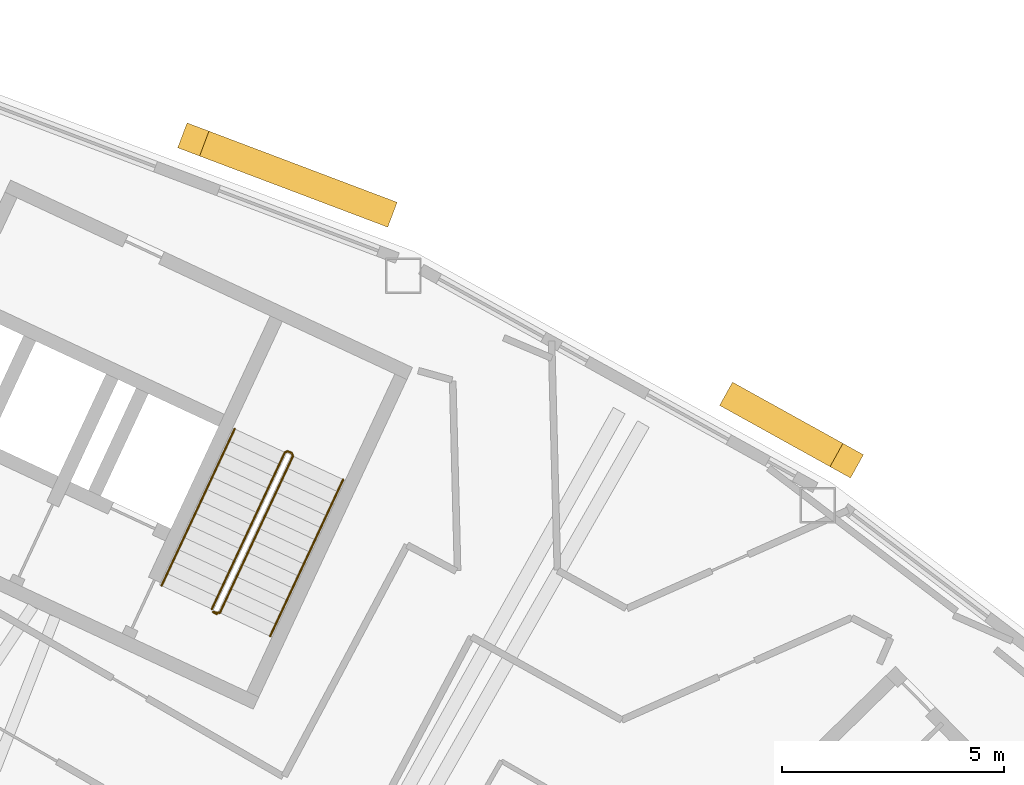
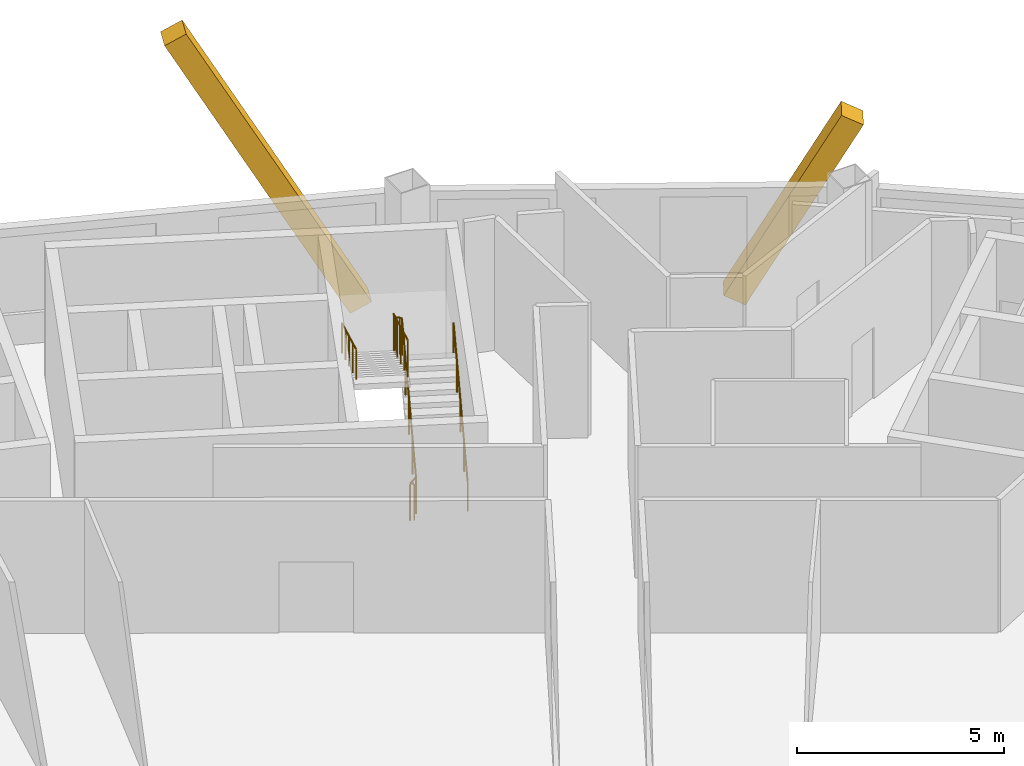
# One storey, part 13 of 13: 3 railings, 2 coverings.
"""IFC4 building model written with IfcOpenShell, lengths in metres."""

from ifc_helpers import new_model, si_unit, direction, frame, origin, origin_2d, place, context, subcontext, project, spatial, rectangle, circle, extrude, material, material_profile, profile_set, type_object, element, save


model = new_model("IFC4")

# Units and contexts
model_context = context("Model", 3, precision=1e-05, world=origin(), true_north=direction((0.0, 1.0)))
body_context = subcontext(model_context, "Body", "Model", "MODEL_VIEW")
ifc_project = project(units=[si_unit("LENGTHUNIT", "METRE"), si_unit("AREAUNIT", "SQUARE_METRE"), si_unit("VOLUMEUNIT", "CUBIC_METRE"), si_unit("PLANEANGLEUNIT", "RADIAN"), si_unit("MASSUNIT", "GRAM", prefix="KILO")], contexts=[model_context])

# Site, building, storey
site_placement = place(None, origin())
site = spatial("IfcSite", under=ifc_project, at=site_placement, CompositionType="ELEMENT")
building_placement = place(site_placement, origin())
building = spatial("IfcBuilding", under=site, at=building_placement, Name="Tuul Gate Civic Tower", CompositionType="ELEMENT")
storey_placement = place(building_placement, frame((0.0, 0.0, 285.800048828125)))
storey = spatial("IfcBuildingStorey", under=building, at=storey_placement, Name="Level 64", CompositionType="ELEMENT", Elevation=285.800048828125)

# Railings
ifc_material_1 = material(Name="Painted steel", Category="steel")
railing_type_1 = type_object("IfcRailingType", Name="Stair guard", PredefinedType="GUARDRAIL", material=ifc_material_1)
railing_1_placement = place(storey_placement, frame((33.645751953125, -5.238525390625, 0.0)))
element("IfcRailing", 1, at=railing_1_placement, inside=storey, type_object=railing_type_1, Name="Level 64 ST-4 stair guard 1", PredefinedType="GUARDRAIL", context=body_context, shape_type="SweptSolid", body=[
    extrude(circle(Radius=0.02392578125, at=origin_2d()), frame((0.0, 0.0, 1.076171875), z_axis=(-0.906307919131, 0.422617978463, 0.0), x_axis=(-0.422617978463, -0.906307919131, 0.0)), (0.0, 0.0, 1.0), 0.099853515625),
    extrude(circle(Radius=0.02392578125, at=origin_2d()), frame((-0.090576171875, 0.042236328125, 1.076171875), z_axis=(0.720735628292, -0.082946246491, 0.688229666829), x_axis=(0.114330889033, 0.993442724979, 0.0)), (0.0, 0.0, 1.0), 0.2177734375),
    extrude(circle(Radius=0.02392578125, at=origin_2d()), frame((0.06640625, 0.024169921875, 1.22607421875), z_axis=(0.377946903738, 0.810654114417, 0.447209173356), x_axis=(-0.906336612539, 0.422556439746, 0.0)), (0.0, 0.0, 1.0), 4.3603515625),
    extrude(circle(Radius=0.02392578125, at=origin_2d()), frame((1.71435546875, 3.558837890625, 3.17578125), z_axis=(-0.342020437038, 0.939692513883, 0.0), x_axis=(-0.939692513883, -0.342020437038, 0.0)), (0.0, 0.0, 1.0), 0.070556640625),
    extrude(circle(Radius=0.02392578125, at=origin_2d()), frame((1.690185546875, 3.625244140625, 3.17578125), z_axis=(-0.906307919131, 0.422617978463, 0.0), x_axis=(-0.422617978463, -0.906307919131, 0.0)), (0.0, 0.0, 1.0), 0.099853515625),
    extrude(circle(Radius=0.02392578125, at=origin_2d()), frame((1.599609375, 3.66748046875, 3.17578125), z_axis=(-0.400168791901, -0.145649670582, 0.904793408159), x_axis=(0.342020437038, -0.939692513883, 0.0)), (0.0, 0.0, 1.0), 0.166015625),
    extrude(circle(Radius=0.02392578125, at=origin_2d()), frame((1.533203125, 3.643310546875, 3.326171875), z_axis=(-0.377946903738, -0.810654114417, 0.447209173356), x_axis=(0.906336612539, -0.422556439746, 0.0)), (0.0, 0.0, 1.0), 4.3603515625),
    extrude(circle(Radius=0.02099609375, at=origin_2d()), origin(), (0.0, 0.0, 1.0), 1.052001953125),
    extrude(circle(Radius=0.02099609375, at=origin_2d()), frame((-0.090576171875, 0.042236328125, 0.0)), (0.0, 0.0, 1.0), 1.052001953125),
    extrude(circle(Radius=0.02099609375, at=origin_2d()), frame((0.06640625, 0.024169921875, 0.14990234375)), (0.0, 0.0, 1.0), 1.052001953125),
    extrude(circle(Radius=0.02099609375, at=origin_2d()), frame((0.478515625, 0.90771484375, 0.637451171875)), (0.0, 0.0, 1.0), 1.052001953125),
    extrude(circle(Radius=0.02099609375, at=origin_2d()), frame((0.890380859375, 1.79150390625, 1.125)), (0.0, 0.0, 1.0), 1.052001953125),
    extrude(circle(Radius=0.02099609375, at=origin_2d()), frame((1.30224609375, 2.67529296875, 1.6123046875)), (0.0, 0.0, 1.0), 1.052001953125),
    extrude(circle(Radius=0.02099609375, at=origin_2d()), frame((1.71435546875, 3.558837890625, 2.099853515625)), (0.0, 0.0, 1.0), 1.052001953125),
    extrude(circle(Radius=0.02099609375, at=origin_2d()), frame((1.690185546875, 3.625244140625, 2.099853515625)), (0.0, 0.0, 1.0), 1.052001953125),
    extrude(circle(Radius=0.02099609375, at=origin_2d()), frame((1.599609375, 3.66748046875, 2.099853515625)), (0.0, 0.0, 1.0), 1.052001953125),
    extrude(circle(Radius=0.02099609375, at=origin_2d()), frame((1.533203125, 3.643310546875, 2.25)), (0.0, 0.0, 1.0), 1.052001953125),
    extrude(circle(Radius=0.02099609375, at=origin_2d()), frame((1.12109375, 2.759765625, 2.737548828125)), (0.0, 0.0, 1.0), 1.052001953125),
    extrude(circle(Radius=0.02099609375, at=origin_2d()), frame((0.709228515625, 1.8759765625, 3.22509765625)), (0.0, 0.0, 1.0), 1.052001953125),
    extrude(circle(Radius=0.02099609375, at=origin_2d()), frame((0.29736328125, 0.9921875, 3.71240234375)), (0.0, 0.0, 1.0), 1.052001953125),
    extrude(circle(Radius=0.02099609375, at=origin_2d()), frame((-0.11474609375, 0.108642578125, 4.199951171875)), (0.0, 0.0, 1.0), 1.052001953125),
])
ifc_material_2 = material(Name="Painted steel", Category="steel")
railing_type_2 = type_object("IfcRailingType", Name="Stair handrail", PredefinedType="HANDRAIL", material=ifc_material_2)
railing_2_placement = place(storey_placement, frame((34.844970703125, -5.74267578125, 0.14990234375)))
element("IfcRailing", 2, at=railing_2_placement, inside=storey, type_object=railing_type_2, Name="Level 64 ST-4 stair handrail 1", PredefinedType="HANDRAIL", context=body_context, shape_type="SweptSolid", body=[
    extrude(circle(Radius=0.02392578125, at=origin_2d()), frame((0.0, 0.0, 0.8759765625), z_axis=(0.377994896215, 0.810636958585, 0.447199709091), x_axis=(-0.906312636903, 0.422607861012, 0.0)), (0.0, 0.0, 1.0), 4.3603515625),
    extrude(circle(Radius=0.02099609375, at=origin_2d()), origin(), (0.0, 0.0, 1.0), 0.851806640625),
    extrude(circle(Radius=0.02099609375, at=origin_2d()), frame((0.412109375, 0.8837890625, 0.487548828125)), (0.0, 0.0, 1.0), 0.851806640625),
    extrude(circle(Radius=0.02099609375, at=origin_2d()), frame((0.82421875, 1.767333984375, 0.97509765625)), (0.0, 0.0, 1.0), 0.851806640625),
    extrude(circle(Radius=0.02099609375, at=origin_2d()), frame((1.236083984375, 2.65087890625, 1.46240234375)), (0.0, 0.0, 1.0), 0.851806640625),
    extrude(circle(Radius=0.02099609375, at=origin_2d()), frame((1.648193359375, 3.53466796875, 1.949951171875)), (0.0, 0.0, 1.0), 0.851806640625),
])
railing_3_placement = place(storey_placement, frame((34.046142578125, -1.06689453125, 2.25)))
element("IfcRailing", 3, at=railing_3_placement, inside=storey, type_object=railing_type_2, Name="Level 64 ST-4 stair handrail 2", PredefinedType="HANDRAIL", context=body_context, shape_type="SweptSolid", body=[
    extrude(circle(Radius=0.02392578125, at=origin_2d()), frame((0.0, 0.0, 0.8759765625), z_axis=(-0.377994896215, -0.810636958585, 0.447199709091), x_axis=(0.906312636903, -0.422607861012, 0.0)), (0.0, 0.0, 1.0), 4.3603515625),
    extrude(circle(Radius=0.02099609375, at=origin_2d()), origin(), (0.0, 0.0, 1.0), 0.851806640625),
    extrude(circle(Radius=0.02099609375, at=origin_2d()), frame((-0.412109375, -0.8837890625, 0.487548828125)), (0.0, 0.0, 1.0), 0.851806640625),
    extrude(circle(Radius=0.02099609375, at=origin_2d()), frame((-0.82421875, -1.767333984375, 0.97509765625)), (0.0, 0.0, 1.0), 0.851806640625),
    extrude(circle(Radius=0.02099609375, at=origin_2d()), frame((-1.236083984375, -2.65087890625, 1.46240234375)), (0.0, 0.0, 1.0), 0.851806640625),
    extrude(circle(Radius=0.02099609375, at=origin_2d()), frame((-1.648193359375, -3.53466796875, 1.949951171875)), (0.0, 0.0, 1.0), 0.851806640625),
])

# Coverings
ifc_material_3 = material(Name="Terracotta baguette", Category="masonry")
ifc_material_profile = material_profile(ifc_material_3, rectangle(XDim=0.60009765625, YDim=0.60009765625, at=origin_2d()), Name="Terracotta baguette screen frame")
ifc_profile_set = profile_set([ifc_material_profile], Name="Terracotta baguette")
covering_type = type_object("IfcCoveringType", Name="Terracotta baguette screen frame", PredefinedType="CLADDING", material=ifc_profile_set)
covering_1_placement = place(storey_placement, frame((47.84814453125, -1.783447265625, 4.92333984375), z_axis=(-0.415584684816, 0.230400605501, -0.879889158207), x_axis=(-0.484871200152, -0.874585570006, 0.0)))
element("IfcCovering", 4, at=covering_1_placement, inside=storey, type_object=covering_type, Name="Baguette 38", PredefinedType="CLADDING", context=body_context, shape_type="SweptSolid", body=[
    extrude(rectangle(XDim=0.60009765625, YDim=0.60009765625, at=origin_2d()), origin(), (0.0, 0.0, 1.0), 5.993408203125),
])
covering_2_placement = place(storey_placement, frame((33.114501953125, 5.460205078125, 8.050048828125), z_axis=(0.444459528179, -0.168066054039, -0.87989177135), x_axis=(0.353693598078, 0.935361341236, 0.0)))
element("IfcCovering", 5, at=covering_2_placement, inside=storey, type_object=covering_type, Name="Baguette 53", PredefinedType="CLADDING", context=body_context, shape_type="SweptSolid", body=[
    extrude(rectangle(XDim=0.60009765625, YDim=0.60009765625, at=origin_2d()), origin(), (0.0, 0.0, 1.0), 9.546875),
])

save(model, "model.ifc")
